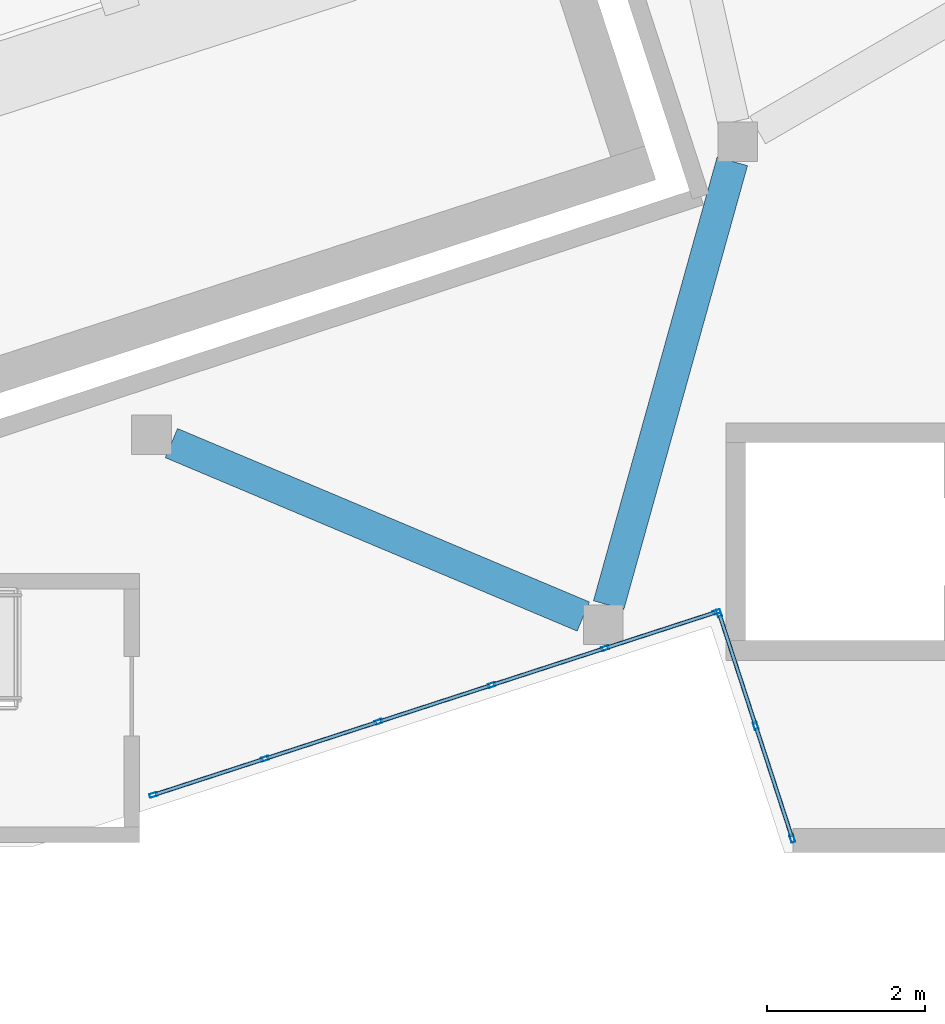
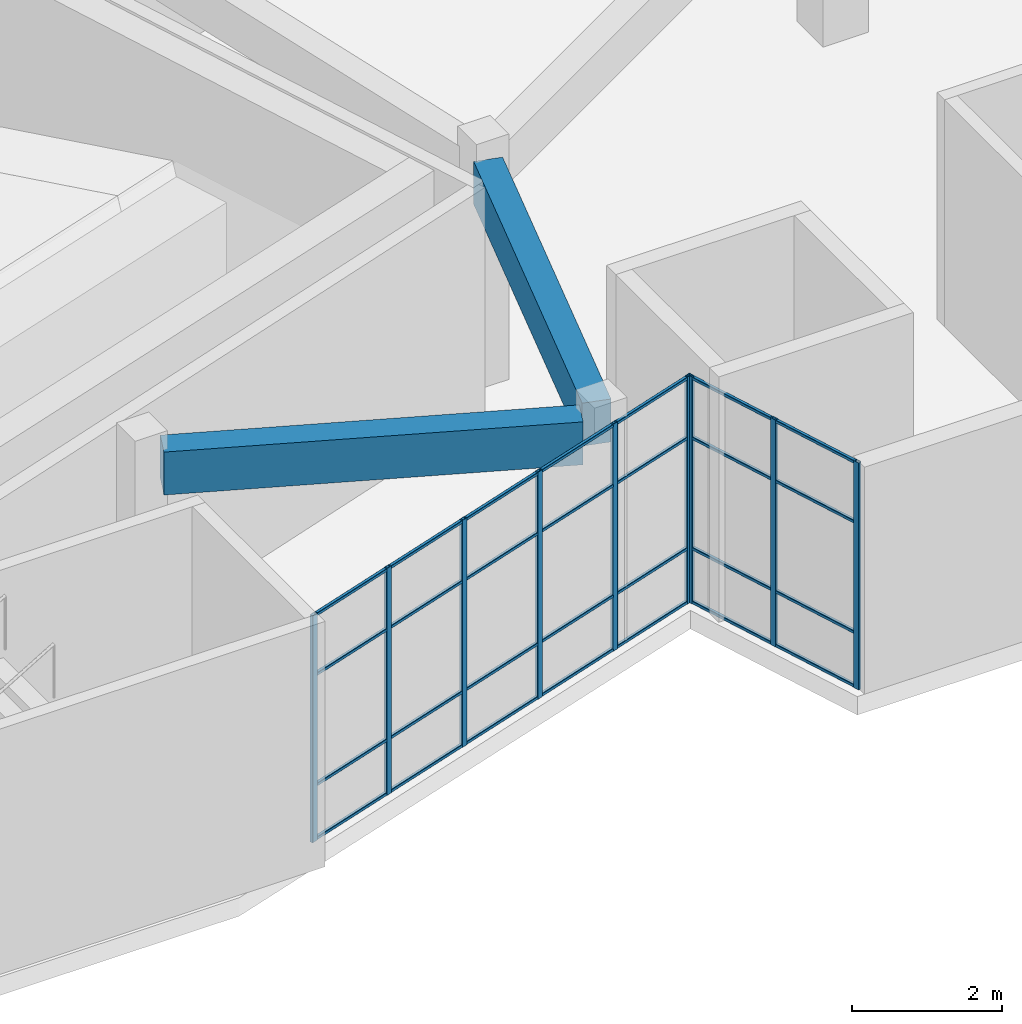
# One storey, part 2 of 65: 37 members, 2 beams, 2 elements without a shape of their own.
"""IFC4 building model written with IfcOpenShell, lengths in metres."""

from ifc_helpers import new_model, si_unit, direction, frame, origin, origin_2d, place, context, subcontext, project, spatial, rectangle, hollow_rectangle, extrude, material, layer, layer_set, material_profile, profile_set, type_object, element, aggregate, save


model = new_model("IFC4")

# Units and contexts
model_context = context("Model", 3, precision=1e-05, world=origin(), true_north=direction((0.0, 1.0)))
body_context = subcontext(model_context, "Body", "Model", "MODEL_VIEW")
ifc_project = project(units=[si_unit("LENGTHUNIT", "METRE"), si_unit("AREAUNIT", "SQUARE_METRE"), si_unit("VOLUMEUNIT", "CUBIC_METRE"), si_unit("PLANEANGLEUNIT", "RADIAN"), si_unit("MASSUNIT", "GRAM", prefix="KILO")], contexts=[model_context])

# Site, building, storey
site_placement = place(None, origin())
site = spatial("IfcSite", under=ifc_project, at=site_placement, CompositionType="ELEMENT")
building_placement = place(site_placement, origin())
building = spatial("IfcBuilding", under=site, at=building_placement, Name="Tuart Plaza Theatre", CompositionType="ELEMENT")
storey_placement = place(building_placement, frame((0.0, 0.0, 9.5)))
storey = spatial("IfcBuildingStorey", under=building, at=storey_placement, Name="L02", CompositionType="ELEMENT", Elevation=9.5)

# Beams
ifc_material_1 = material(Name="Concrete N40 (40 MPa)", Category="concrete")
ifc_material_profile_1 = material_profile(ifc_material_1, rectangle(XDim=0.39990234375, YDim=0.699951171875, at=origin_2d()), Name="BEAM 400x700 Concrete N40 (40 MPa)")
ifc_profile_set_1 = profile_set([ifc_material_profile_1], Name="Concrete N40 (40 MPa)")
beam_type = type_object("IfcBeamType", Name="BEAM 400x700 Concrete N40 (40 MPa)", PredefinedType="BEAM", material=ifc_profile_set_1)
beam_1_placement = place(storey_placement, frame((76.949951171875, 45.30517578125, 3.35009765625), z_axis=(-0.921635375138, 0.388057000058, 0.0), x_axis=(-0.388057000058, -0.921635375138, 0.0)))
element("IfcBeam", 1, at=beam_1_placement, inside=storey, type_object=beam_type, Name="RB480", PredefinedType="BEAM", context=body_context, shape_type="SweptSolid", body=[
    extrude(rectangle(XDim=0.39990234375, YDim=0.699951171875, at=origin_2d()), origin(), (0.0, 0.0, 1.0), 5.64208984375),
])
beam_2_placement = place(storey_placement, frame((77.269775390625, 45.449951171875, 3.35009765625), z_axis=(0.268436517251, 0.963297376829, 0.0), x_axis=(-0.963297376829, 0.268436517251, 0.0)))
element("IfcBeam", 2, at=beam_2_placement, inside=storey, type_object=beam_type, Name="RB481", PredefinedType="BEAM", context=body_context, shape_type="SweptSolid", body=[
    extrude(rectangle(XDim=0.39990234375, YDim=0.699951171875, at=origin_2d()), origin(), (0.0, 0.0, 1.0), 5.8134765625),
])

# Curtain wall, members
ifc_material_2 = material(Name="Aluminium and glass", Category="aluminium")
ifc_layer = layer(ifc_material_2, 0.10009765625)
ifc_layer_set = layer_set([ifc_layer], Name="CURTAIN WALL 1500 module")
curtain_wall_type = type_object("IfcCurtainWallType", Name="CURTAIN WALL 1500 module", PredefinedType="NOTDEFINED", material=ifc_layer_set)
curtain_wall_1_placement = place(storey_placement, origin())
curtain_wall_1 = element("IfcCurtainWall", 3, at=curtain_wall_1_placement, inside=storey, type_object=curtain_wall_type, Name="CW25", PredefinedType="NOTDEFINED")
ifc_material_3 = material(Name="Aluminium 6063-T5", Category="aluminium")
ifc_material_profile_2 = material_profile(ifc_material_3, hollow_rectangle(XDim=0.050048828125, YDim=0.10009765625, WallThickness=0.00390625, InnerFilletRadius=0.00390625, OuterFilletRadius=0.008056640625, at=origin_2d()), Name="RHS 100x50x4")
ifc_profile_set_2 = profile_set([ifc_material_profile_2], Name="Aluminium 6063-T5")
member_type_1 = type_object("IfcMemberType", Name="MULLION RHS 100x50x4", PredefinedType="MULLION", material=ifc_profile_set_2)
member_1_placement = place(storey_placement, frame((71.523681640625, 43.052734375, 0.0), z_axis=(0.0, 0.0, 1.0), x_axis=(-0.308985579126, 0.951066723155, 0.0)))
member_1 = element("IfcMember", 4, at=member_1_placement, type_object=member_type_1, Name="CW25 mullion 1", PredefinedType="MULLION", context=body_context, shape_type="SweptSolid", body=[
    extrude(hollow_rectangle(XDim=0.050048828125, YDim=0.10009765625, WallThickness=0.00390625, InnerFilletRadius=0.00390625, OuterFilletRadius=0.008056640625, at=origin_2d()), origin(), (0.0, 0.0, 1.0), 3.699951171875),
])
member_2_placement = place(storey_placement, frame((72.93115234375, 43.510009765625, 0.0), z_axis=(0.0, 0.0, 1.0), x_axis=(-0.308985579126, 0.951066723155, 0.0)))
member_2 = element("IfcMember", 5, at=member_2_placement, type_object=member_type_1, Name="CW25 mullion 2", PredefinedType="MULLION", context=body_context, shape_type="SweptSolid", body=[
    extrude(hollow_rectangle(XDim=0.050048828125, YDim=0.10009765625, WallThickness=0.00390625, InnerFilletRadius=0.00390625, OuterFilletRadius=0.008056640625, at=origin_2d()), origin(), (0.0, 0.0, 1.0), 3.699951171875),
])
member_3_placement = place(storey_placement, frame((74.362548828125, 43.97509765625, 0.0), z_axis=(0.0, 0.0, 1.0), x_axis=(-0.308985579126, 0.951066723155, 0.0)))
member_3 = element("IfcMember", 6, at=member_3_placement, type_object=member_type_1, Name="CW25 mullion 3", PredefinedType="MULLION", context=body_context, shape_type="SweptSolid", body=[
    extrude(hollow_rectangle(XDim=0.050048828125, YDim=0.10009765625, WallThickness=0.00390625, InnerFilletRadius=0.00390625, OuterFilletRadius=0.008056640625, at=origin_2d()), origin(), (0.0, 0.0, 1.0), 3.699951171875),
])
member_4_placement = place(storey_placement, frame((75.793701171875, 44.43994140625, 0.0), z_axis=(0.0, 0.0, 1.0), x_axis=(-0.308985579126, 0.951066723155, 0.0)))
member_4 = element("IfcMember", 7, at=member_4_placement, type_object=member_type_1, Name="CW25 mullion 4", PredefinedType="MULLION", context=body_context, shape_type="SweptSolid", body=[
    extrude(hollow_rectangle(XDim=0.050048828125, YDim=0.10009765625, WallThickness=0.00390625, InnerFilletRadius=0.00390625, OuterFilletRadius=0.008056640625, at=origin_2d()), origin(), (0.0, 0.0, 1.0), 3.699951171875),
])
member_5_placement = place(storey_placement, frame((77.22509765625, 44.905029296875, 0.0), z_axis=(0.0, 0.0, 1.0), x_axis=(-0.308985579126, 0.951066723155, 0.0)))
member_5 = element("IfcMember", 8, at=member_5_placement, type_object=member_type_1, Name="CW25 mullion 5", PredefinedType="MULLION", context=body_context, shape_type="SweptSolid", body=[
    extrude(hollow_rectangle(XDim=0.050048828125, YDim=0.10009765625, WallThickness=0.00390625, InnerFilletRadius=0.00390625, OuterFilletRadius=0.008056640625, at=origin_2d()), origin(), (0.0, 0.0, 1.0), 3.699951171875),
])
member_6_placement = place(storey_placement, frame((78.632568359375, 45.3623046875, 0.0), z_axis=(0.0, 0.0, 1.0), x_axis=(-0.308985579126, 0.951066723155, 0.0)))
member_6 = element("IfcMember", 9, at=member_6_placement, type_object=member_type_1, Name="CW25 mullion 6", PredefinedType="MULLION", context=body_context, shape_type="SweptSolid", body=[
    extrude(hollow_rectangle(XDim=0.050048828125, YDim=0.10009765625, WallThickness=0.00390625, InnerFilletRadius=0.00390625, OuterFilletRadius=0.008056640625, at=origin_2d()), origin(), (0.0, 0.0, 1.0), 3.699951171875),
])

curtain_wall_2_placement = place(storey_placement, origin())
curtain_wall_2 = element("IfcCurtainWall", 10, at=curtain_wall_2_placement, inside=storey, type_object=curtain_wall_type, Name="CW26", PredefinedType="NOTDEFINED")
member_7_placement = place(storey_placement, frame((78.6640625, 45.34619140625, 0.0), z_axis=(0.0, 0.0, 1.0), x_axis=(0.951056113998, 0.309018232516, 0.0)))
member_7 = element("IfcMember", 11, at=member_7_placement, type_object=member_type_1, Name="CW26 mullion 1", PredefinedType="MULLION", context=body_context, shape_type="SweptSolid", body=[
    extrude(hollow_rectangle(XDim=0.050048828125, YDim=0.10009765625, WallThickness=0.00390625, InnerFilletRadius=0.00390625, OuterFilletRadius=0.008056640625, at=origin_2d()), origin(), (0.0, 0.0, 1.0), 3.699951171875),
])
member_8_placement = place(storey_placement, frame((79.126220703125, 43.924072265625, 0.0), z_axis=(0.0, 0.0, 1.0), x_axis=(0.951056113998, 0.309018232516, 0.0)))
member_8 = element("IfcMember", 12, at=member_8_placement, type_object=member_type_1, Name="CW26 mullion 2", PredefinedType="MULLION", context=body_context, shape_type="SweptSolid", body=[
    extrude(hollow_rectangle(XDim=0.050048828125, YDim=0.10009765625, WallThickness=0.00390625, InnerFilletRadius=0.00390625, OuterFilletRadius=0.008056640625, at=origin_2d()), origin(), (0.0, 0.0, 1.0), 3.699951171875),
])
member_9_placement = place(storey_placement, frame((79.588134765625, 42.501708984375, 0.0), z_axis=(0.0, 0.0, 1.0), x_axis=(0.951056113998, 0.309018232516, 0.0)))
member_9 = element("IfcMember", 13, at=member_9_placement, type_object=member_type_1, Name="CW26 mullion 3", PredefinedType="MULLION", context=body_context, shape_type="SweptSolid", body=[
    extrude(hollow_rectangle(XDim=0.050048828125, YDim=0.10009765625, WallThickness=0.00390625, InnerFilletRadius=0.00390625, OuterFilletRadius=0.008056640625, at=origin_2d()), origin(), (0.0, 0.0, 1.0), 3.699951171875),
])

# Member
ifc_material_4 = material(Name="Aluminium 6063-T5", Category="aluminium")
ifc_material_profile_3 = material_profile(ifc_material_4, hollow_rectangle(XDim=0.050048828125, YDim=0.050048828125, WallThickness=0.00390625, InnerFilletRadius=0.00390625, OuterFilletRadius=0.008056640625, at=origin_2d()), Name="RHS 50x50x4")
ifc_profile_set_3 = profile_set([ifc_material_profile_3], Name="Aluminium 6063-T5")
member_type_2 = type_object("IfcMemberType", Name="TRANSOM RHS 50x50x4", PredefinedType="USERDEFINED", material=ifc_profile_set_3)
member_10_placement = place(storey_placement, frame((71.547607421875, 43.060546875, 0.02490234375), z_axis=(0.951096790658, 0.308893015135, 0.0), x_axis=(-0.308893015135, 0.951096790658, 0.0)))
member_10 = element("IfcMember", 14, at=member_10_placement, type_object=member_type_2, Name="CW25 transom 1.1", ObjectType="TRANSOM", PredefinedType="USERDEFINED", context=body_context, shape_type="SweptSolid", body=[
    extrude(hollow_rectangle(XDim=0.050048828125, YDim=0.050048828125, WallThickness=0.00390625, InnerFilletRadius=0.00390625, OuterFilletRadius=0.008056640625, at=origin_2d()), origin(), (0.0, 0.0, 1.0), 1.4296875),
])

member_11_placement = place(storey_placement, frame((71.547607421875, 43.060546875, 0.89990234375), z_axis=(0.951096790658, 0.308893015135, 0.0), x_axis=(-0.308893015135, 0.951096790658, 0.0)))
member_11 = element("IfcMember", 15, at=member_11_placement, type_object=member_type_2, Name="CW25 transom 1.2", ObjectType="TRANSOM", PredefinedType="USERDEFINED", context=body_context, shape_type="SweptSolid", body=[
    extrude(hollow_rectangle(XDim=0.050048828125, YDim=0.050048828125, WallThickness=0.00390625, InnerFilletRadius=0.00390625, OuterFilletRadius=0.008056640625, at=origin_2d()), origin(), (0.0, 0.0, 1.0), 1.4296875),
])

member_12_placement = place(storey_placement, frame((71.547607421875, 43.060546875, 2.699951171875), z_axis=(0.951096790658, 0.308893015135, 0.0), x_axis=(-0.308893015135, 0.951096790658, 0.0)))
member_12 = element("IfcMember", 16, at=member_12_placement, type_object=member_type_2, Name="CW25 transom 1.3", ObjectType="TRANSOM", PredefinedType="USERDEFINED", context=body_context, shape_type="SweptSolid", body=[
    extrude(hollow_rectangle(XDim=0.050048828125, YDim=0.050048828125, WallThickness=0.00390625, InnerFilletRadius=0.00390625, OuterFilletRadius=0.008056640625, at=origin_2d()), origin(), (0.0, 0.0, 1.0), 1.4296875),
])

member_13_placement = place(storey_placement, frame((71.547607421875, 43.060546875, 3.675048828125), z_axis=(0.951096790658, 0.308893015135, 0.0), x_axis=(-0.308893015135, 0.951096790658, 0.0)))
member_13 = element("IfcMember", 17, at=member_13_placement, type_object=member_type_2, Name="CW25 transom 1.4", ObjectType="TRANSOM", PredefinedType="USERDEFINED", context=body_context, shape_type="SweptSolid", body=[
    extrude(hollow_rectangle(XDim=0.050048828125, YDim=0.050048828125, WallThickness=0.00390625, InnerFilletRadius=0.00390625, OuterFilletRadius=0.008056640625, at=origin_2d()), origin(), (0.0, 0.0, 1.0), 1.4296875),
])

member_14_placement = place(storey_placement, frame((72.955078125, 43.517822265625, 0.02490234375), z_axis=(0.951088311505, 0.308919121645, 0.0), x_axis=(-0.308919121645, 0.951088311505, 0.0)))
member_14 = element("IfcMember", 18, at=member_14_placement, type_object=member_type_2, Name="CW25 transom 2.1", ObjectType="TRANSOM", PredefinedType="USERDEFINED", context=body_context, shape_type="SweptSolid", body=[
    extrude(hollow_rectangle(XDim=0.050048828125, YDim=0.050048828125, WallThickness=0.00390625, InnerFilletRadius=0.00390625, OuterFilletRadius=0.008056640625, at=origin_2d()), origin(), (0.0, 0.0, 1.0), 1.454833984375),
])

member_15_placement = place(storey_placement, frame((72.955078125, 43.517822265625, 0.89990234375), z_axis=(0.951088311505, 0.308919121645, 0.0), x_axis=(-0.308919121645, 0.951088311505, 0.0)))
member_15 = element("IfcMember", 19, at=member_15_placement, type_object=member_type_2, Name="CW25 transom 2.2", ObjectType="TRANSOM", PredefinedType="USERDEFINED", context=body_context, shape_type="SweptSolid", body=[
    extrude(hollow_rectangle(XDim=0.050048828125, YDim=0.050048828125, WallThickness=0.00390625, InnerFilletRadius=0.00390625, OuterFilletRadius=0.008056640625, at=origin_2d()), origin(), (0.0, 0.0, 1.0), 1.454833984375),
])

member_16_placement = place(storey_placement, frame((72.955078125, 43.517822265625, 2.699951171875), z_axis=(0.951088311505, 0.308919121645, 0.0), x_axis=(-0.308919121645, 0.951088311505, 0.0)))
member_16 = element("IfcMember", 20, at=member_16_placement, type_object=member_type_2, Name="CW25 transom 2.3", ObjectType="TRANSOM", PredefinedType="USERDEFINED", context=body_context, shape_type="SweptSolid", body=[
    extrude(hollow_rectangle(XDim=0.050048828125, YDim=0.050048828125, WallThickness=0.00390625, InnerFilletRadius=0.00390625, OuterFilletRadius=0.008056640625, at=origin_2d()), origin(), (0.0, 0.0, 1.0), 1.454833984375),
])

member_17_placement = place(storey_placement, frame((72.955078125, 43.517822265625, 3.675048828125), z_axis=(0.951088311505, 0.308919121645, 0.0), x_axis=(-0.308919121645, 0.951088311505, 0.0)))
member_17 = element("IfcMember", 21, at=member_17_placement, type_object=member_type_2, Name="CW25 transom 2.4", ObjectType="TRANSOM", PredefinedType="USERDEFINED", context=body_context, shape_type="SweptSolid", body=[
    extrude(hollow_rectangle(XDim=0.050048828125, YDim=0.050048828125, WallThickness=0.00390625, InnerFilletRadius=0.00390625, OuterFilletRadius=0.008056640625, at=origin_2d()), origin(), (0.0, 0.0, 1.0), 1.454833984375),
])

member_18_placement = place(storey_placement, frame((74.38623046875, 43.982666015625, 0.02490234375), z_axis=(0.951039000848, 0.309070896182, 0.0), x_axis=(-0.309070896182, 0.951039000848, 0.0)))
member_18 = element("IfcMember", 22, at=member_18_placement, type_object=member_type_2, Name="CW25 transom 3.1", ObjectType="TRANSOM", PredefinedType="USERDEFINED", context=body_context, shape_type="SweptSolid", body=[
    extrude(hollow_rectangle(XDim=0.050048828125, YDim=0.050048828125, WallThickness=0.00390625, InnerFilletRadius=0.00390625, OuterFilletRadius=0.008056640625, at=origin_2d()), origin(), (0.0, 0.0, 1.0), 1.455078125),
])

member_19_placement = place(storey_placement, frame((74.38623046875, 43.982666015625, 0.89990234375), z_axis=(0.951039000848, 0.309070896182, 0.0), x_axis=(-0.309070896182, 0.951039000848, 0.0)))
member_19 = element("IfcMember", 23, at=member_19_placement, type_object=member_type_2, Name="CW25 transom 3.2", ObjectType="TRANSOM", PredefinedType="USERDEFINED", context=body_context, shape_type="SweptSolid", body=[
    extrude(hollow_rectangle(XDim=0.050048828125, YDim=0.050048828125, WallThickness=0.00390625, InnerFilletRadius=0.00390625, OuterFilletRadius=0.008056640625, at=origin_2d()), origin(), (0.0, 0.0, 1.0), 1.455078125),
])

member_20_placement = place(storey_placement, frame((74.38623046875, 43.982666015625, 2.699951171875), z_axis=(0.951039000848, 0.309070896182, 0.0), x_axis=(-0.309070896182, 0.951039000848, 0.0)))
member_20 = element("IfcMember", 24, at=member_20_placement, type_object=member_type_2, Name="CW25 transom 3.3", ObjectType="TRANSOM", PredefinedType="USERDEFINED", context=body_context, shape_type="SweptSolid", body=[
    extrude(hollow_rectangle(XDim=0.050048828125, YDim=0.050048828125, WallThickness=0.00390625, InnerFilletRadius=0.00390625, OuterFilletRadius=0.008056640625, at=origin_2d()), origin(), (0.0, 0.0, 1.0), 1.455078125),
])

member_21_placement = place(storey_placement, frame((74.38623046875, 43.982666015625, 3.675048828125), z_axis=(0.951039000848, 0.309070896182, 0.0), x_axis=(-0.309070896182, 0.951039000848, 0.0)))
member_21 = element("IfcMember", 25, at=member_21_placement, type_object=member_type_2, Name="CW25 transom 3.4", ObjectType="TRANSOM", PredefinedType="USERDEFINED", context=body_context, shape_type="SweptSolid", body=[
    extrude(hollow_rectangle(XDim=0.050048828125, YDim=0.050048828125, WallThickness=0.00390625, InnerFilletRadius=0.00390625, OuterFilletRadius=0.008056640625, at=origin_2d()), origin(), (0.0, 0.0, 1.0), 1.455078125),
])

member_22_placement = place(storey_placement, frame((75.817626953125, 44.44775390625, 0.02490234375), z_axis=(0.951072294381, 0.308968430202, 0.0), x_axis=(-0.308968430202, 0.951072294381, 0.0)))
member_22 = element("IfcMember", 26, at=member_22_placement, type_object=member_type_2, Name="CW25 transom 4.1", ObjectType="TRANSOM", PredefinedType="USERDEFINED", context=body_context, shape_type="SweptSolid", body=[
    extrude(hollow_rectangle(XDim=0.050048828125, YDim=0.050048828125, WallThickness=0.00390625, InnerFilletRadius=0.00390625, OuterFilletRadius=0.008056640625, at=origin_2d()), origin(), (0.0, 0.0, 1.0), 1.454833984375),
])

member_23_placement = place(storey_placement, frame((75.817626953125, 44.44775390625, 0.89990234375), z_axis=(0.951072294381, 0.308968430202, 0.0), x_axis=(-0.308968430202, 0.951072294381, 0.0)))
member_23 = element("IfcMember", 27, at=member_23_placement, type_object=member_type_2, Name="CW25 transom 4.2", ObjectType="TRANSOM", PredefinedType="USERDEFINED", context=body_context, shape_type="SweptSolid", body=[
    extrude(hollow_rectangle(XDim=0.050048828125, YDim=0.050048828125, WallThickness=0.00390625, InnerFilletRadius=0.00390625, OuterFilletRadius=0.008056640625, at=origin_2d()), origin(), (0.0, 0.0, 1.0), 1.454833984375),
])

member_24_placement = place(storey_placement, frame((75.817626953125, 44.44775390625, 2.699951171875), z_axis=(0.951072294381, 0.308968430202, 0.0), x_axis=(-0.308968430202, 0.951072294381, 0.0)))
member_24 = element("IfcMember", 28, at=member_24_placement, type_object=member_type_2, Name="CW25 transom 4.3", ObjectType="TRANSOM", PredefinedType="USERDEFINED", context=body_context, shape_type="SweptSolid", body=[
    extrude(hollow_rectangle(XDim=0.050048828125, YDim=0.050048828125, WallThickness=0.00390625, InnerFilletRadius=0.00390625, OuterFilletRadius=0.008056640625, at=origin_2d()), origin(), (0.0, 0.0, 1.0), 1.454833984375),
])

member_25_placement = place(storey_placement, frame((75.817626953125, 44.44775390625, 3.675048828125), z_axis=(0.951072294381, 0.308968430202, 0.0), x_axis=(-0.308968430202, 0.951072294381, 0.0)))
member_25 = element("IfcMember", 29, at=member_25_placement, type_object=member_type_2, Name="CW25 transom 4.4", ObjectType="TRANSOM", PredefinedType="USERDEFINED", context=body_context, shape_type="SweptSolid", body=[
    extrude(hollow_rectangle(XDim=0.050048828125, YDim=0.050048828125, WallThickness=0.00390625, InnerFilletRadius=0.00390625, OuterFilletRadius=0.008056640625, at=origin_2d()), origin(), (0.0, 0.0, 1.0), 1.454833984375),
])

member_26_placement = place(storey_placement, frame((77.248779296875, 44.912841796875, 0.02490234375), z_axis=(0.951096790658, 0.308893015135, 0.0), x_axis=(-0.308893015135, 0.951096790658, 0.0)))
member_26 = element("IfcMember", 30, at=member_26_placement, type_object=member_type_2, Name="CW25 transom 5.1", ObjectType="TRANSOM", PredefinedType="USERDEFINED", context=body_context, shape_type="SweptSolid", body=[
    extrude(hollow_rectangle(XDim=0.050048828125, YDim=0.050048828125, WallThickness=0.00390625, InnerFilletRadius=0.00390625, OuterFilletRadius=0.008056640625, at=origin_2d()), origin(), (0.0, 0.0, 1.0), 1.4296875),
])

member_27_placement = place(storey_placement, frame((77.248779296875, 44.912841796875, 0.89990234375), z_axis=(0.951096790658, 0.308893015135, 0.0), x_axis=(-0.308893015135, 0.951096790658, 0.0)))
member_27 = element("IfcMember", 31, at=member_27_placement, type_object=member_type_2, Name="CW25 transom 5.2", ObjectType="TRANSOM", PredefinedType="USERDEFINED", context=body_context, shape_type="SweptSolid", body=[
    extrude(hollow_rectangle(XDim=0.050048828125, YDim=0.050048828125, WallThickness=0.00390625, InnerFilletRadius=0.00390625, OuterFilletRadius=0.008056640625, at=origin_2d()), origin(), (0.0, 0.0, 1.0), 1.4296875),
])

member_28_placement = place(storey_placement, frame((77.248779296875, 44.912841796875, 2.699951171875), z_axis=(0.951096790658, 0.308893015135, 0.0), x_axis=(-0.308893015135, 0.951096790658, 0.0)))
member_28 = element("IfcMember", 32, at=member_28_placement, type_object=member_type_2, Name="CW25 transom 5.3", ObjectType="TRANSOM", PredefinedType="USERDEFINED", context=body_context, shape_type="SweptSolid", body=[
    extrude(hollow_rectangle(XDim=0.050048828125, YDim=0.050048828125, WallThickness=0.00390625, InnerFilletRadius=0.00390625, OuterFilletRadius=0.008056640625, at=origin_2d()), origin(), (0.0, 0.0, 1.0), 1.4296875),
])

member_29_placement = place(storey_placement, frame((77.248779296875, 44.912841796875, 3.675048828125), z_axis=(0.951096790658, 0.308893015135, 0.0), x_axis=(-0.308893015135, 0.951096790658, 0.0)))
member_29 = element("IfcMember", 33, at=member_29_placement, type_object=member_type_2, Name="CW25 transom 5.4", ObjectType="TRANSOM", PredefinedType="USERDEFINED", context=body_context, shape_type="SweptSolid", body=[
    extrude(hollow_rectangle(XDim=0.050048828125, YDim=0.050048828125, WallThickness=0.00390625, InnerFilletRadius=0.00390625, OuterFilletRadius=0.008056640625, at=origin_2d()), origin(), (0.0, 0.0, 1.0), 1.4296875),
])

aggregate(curtain_wall_1, [member_1, member_2, member_3, member_4, member_5, member_6, member_10, member_11, member_12, member_13, member_14, member_15, member_16, member_17, member_18, member_19, member_20, member_21, member_22, member_23, member_24, member_25, member_26, member_27, member_28, member_29])

member_30_placement = place(storey_placement, frame((78.671875, 45.322509765625, 0.02490234375), z_axis=(0.308921844145, -0.951087427217, 0.0), x_axis=(0.951087427217, 0.308921844145, 0.0)))
member_30 = element("IfcMember", 34, at=member_30_placement, type_object=member_type_2, Name="CW26 transom 1.1", ObjectType="TRANSOM", PredefinedType="USERDEFINED", context=body_context, shape_type="SweptSolid", body=[
    extrude(hollow_rectangle(XDim=0.050048828125, YDim=0.050048828125, WallThickness=0.00390625, InnerFilletRadius=0.00390625, OuterFilletRadius=0.008056640625, at=origin_2d()), origin(), (0.0, 0.0, 1.0), 1.445556640625),
])

member_31_placement = place(storey_placement, frame((78.671875, 45.322509765625, 0.89990234375), z_axis=(0.308921844145, -0.951087427217, 0.0), x_axis=(0.951087427217, 0.308921844145, 0.0)))
member_31 = element("IfcMember", 35, at=member_31_placement, type_object=member_type_2, Name="CW26 transom 1.2", ObjectType="TRANSOM", PredefinedType="USERDEFINED", context=body_context, shape_type="SweptSolid", body=[
    extrude(hollow_rectangle(XDim=0.050048828125, YDim=0.050048828125, WallThickness=0.00390625, InnerFilletRadius=0.00390625, OuterFilletRadius=0.008056640625, at=origin_2d()), origin(), (0.0, 0.0, 1.0), 1.445556640625),
])

member_32_placement = place(storey_placement, frame((78.671875, 45.322509765625, 2.699951171875), z_axis=(0.308921844145, -0.951087427217, 0.0), x_axis=(0.951087427217, 0.308921844145, 0.0)))
member_32 = element("IfcMember", 36, at=member_32_placement, type_object=member_type_2, Name="CW26 transom 1.3", ObjectType="TRANSOM", PredefinedType="USERDEFINED", context=body_context, shape_type="SweptSolid", body=[
    extrude(hollow_rectangle(XDim=0.050048828125, YDim=0.050048828125, WallThickness=0.00390625, InnerFilletRadius=0.00390625, OuterFilletRadius=0.008056640625, at=origin_2d()), origin(), (0.0, 0.0, 1.0), 1.445556640625),
])

member_33_placement = place(storey_placement, frame((78.671875, 45.322509765625, 3.675048828125), z_axis=(0.308921844145, -0.951087427217, 0.0), x_axis=(0.951087427217, 0.308921844145, 0.0)))
member_33 = element("IfcMember", 37, at=member_33_placement, type_object=member_type_2, Name="CW26 transom 1.4", ObjectType="TRANSOM", PredefinedType="USERDEFINED", context=body_context, shape_type="SweptSolid", body=[
    extrude(hollow_rectangle(XDim=0.050048828125, YDim=0.050048828125, WallThickness=0.00390625, InnerFilletRadius=0.00390625, OuterFilletRadius=0.008056640625, at=origin_2d()), origin(), (0.0, 0.0, 1.0), 1.445556640625),
])

member_34_placement = place(storey_placement, frame((79.1337890625, 43.900146484375, 0.02490234375), z_axis=(0.309124267762, -0.95102165437, 0.0), x_axis=(0.95102165437, 0.309124267762, 0.0)))
member_34 = element("IfcMember", 38, at=member_34_placement, type_object=member_type_2, Name="CW26 transom 2.1", ObjectType="TRANSOM", PredefinedType="USERDEFINED", context=body_context, shape_type="SweptSolid", body=[
    extrude(hollow_rectangle(XDim=0.050048828125, YDim=0.050048828125, WallThickness=0.00390625, InnerFilletRadius=0.00390625, OuterFilletRadius=0.008056640625, at=origin_2d()), origin(), (0.0, 0.0, 1.0), 1.4453125),
])

member_35_placement = place(storey_placement, frame((79.1337890625, 43.900146484375, 0.89990234375), z_axis=(0.309124267762, -0.95102165437, 0.0), x_axis=(0.95102165437, 0.309124267762, 0.0)))
member_35 = element("IfcMember", 39, at=member_35_placement, type_object=member_type_2, Name="CW26 transom 2.2", ObjectType="TRANSOM", PredefinedType="USERDEFINED", context=body_context, shape_type="SweptSolid", body=[
    extrude(hollow_rectangle(XDim=0.050048828125, YDim=0.050048828125, WallThickness=0.00390625, InnerFilletRadius=0.00390625, OuterFilletRadius=0.008056640625, at=origin_2d()), origin(), (0.0, 0.0, 1.0), 1.4453125),
])

member_36_placement = place(storey_placement, frame((79.1337890625, 43.900146484375, 2.699951171875), z_axis=(0.309124267762, -0.95102165437, 0.0), x_axis=(0.95102165437, 0.309124267762, 0.0)))
member_36 = element("IfcMember", 40, at=member_36_placement, type_object=member_type_2, Name="CW26 transom 2.3", ObjectType="TRANSOM", PredefinedType="USERDEFINED", context=body_context, shape_type="SweptSolid", body=[
    extrude(hollow_rectangle(XDim=0.050048828125, YDim=0.050048828125, WallThickness=0.00390625, InnerFilletRadius=0.00390625, OuterFilletRadius=0.008056640625, at=origin_2d()), origin(), (0.0, 0.0, 1.0), 1.4453125),
])

member_37_placement = place(storey_placement, frame((79.1337890625, 43.900146484375, 3.675048828125), z_axis=(0.309124267762, -0.95102165437, 0.0), x_axis=(0.95102165437, 0.309124267762, 0.0)))
member_37 = element("IfcMember", 41, at=member_37_placement, type_object=member_type_2, Name="CW26 transom 2.4", ObjectType="TRANSOM", PredefinedType="USERDEFINED", context=body_context, shape_type="SweptSolid", body=[
    extrude(hollow_rectangle(XDim=0.050048828125, YDim=0.050048828125, WallThickness=0.00390625, InnerFilletRadius=0.00390625, OuterFilletRadius=0.008056640625, at=origin_2d()), origin(), (0.0, 0.0, 1.0), 1.4453125),
])

aggregate(curtain_wall_2, [member_7, member_8, member_9, member_30, member_31, member_32, member_33, member_34, member_35, member_36, member_37])

save(model, "model.ifc")
